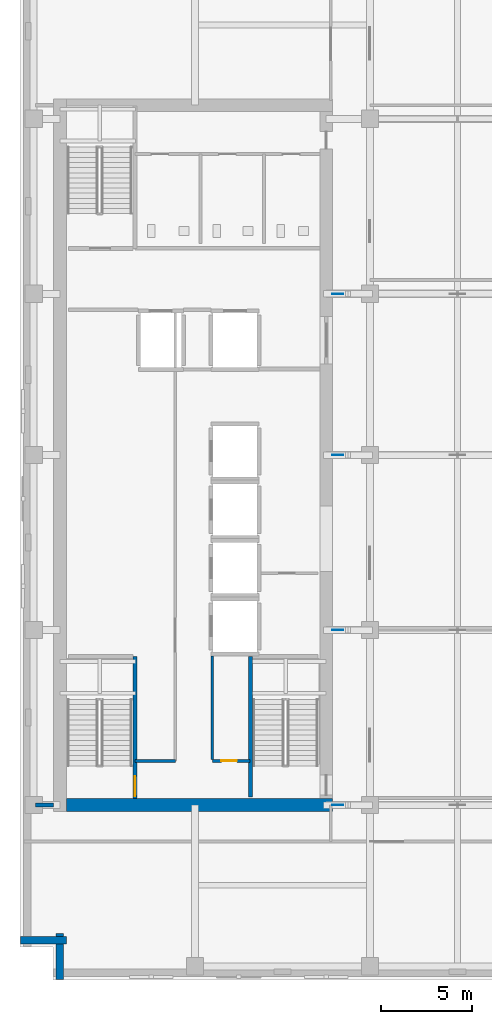
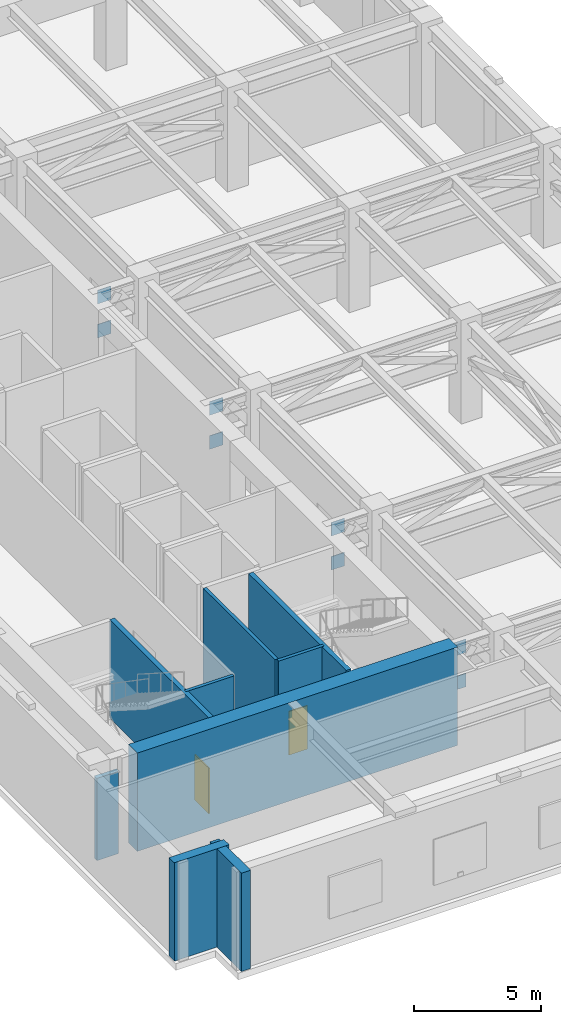
# One storey, part 12 of 21: 9 walls, 8 plates, 2 doors, 2 openings.
"""IFC4 building model written with IfcOpenShell, lengths in metres."""

from ifc_helpers import new_model, si_unit, direction, frame, frame_2d, origin, origin_2d, place, context, subcontext, project, spatial, rectangle, extrude, material, layer, layer_set, type_object, element, fill, save


model = new_model("IFC4")

# Units and contexts
model_context = context("Model", 3, precision=1e-05, world=origin(), true_north=direction((0.0, 1.0)))
body_context = subcontext(model_context, "Body", "Model", "MODEL_VIEW")
ifc_project = project(units=[si_unit("LENGTHUNIT", "METRE"), si_unit("AREAUNIT", "SQUARE_METRE"), si_unit("VOLUMEUNIT", "CUBIC_METRE"), si_unit("PLANEANGLEUNIT", "RADIAN"), si_unit("MASSUNIT", "GRAM", prefix="KILO")], contexts=[model_context])

# Site, building, storey
site_placement = place(None, origin())
site = spatial("IfcSite", under=ifc_project, at=site_placement, CompositionType="ELEMENT")
building_placement = place(site_placement, origin())
building = spatial("IfcBuilding", under=site, at=building_placement, Name="Norrvale University Quadrangle", CompositionType="ELEMENT")
storey_placement = place(building_placement, frame((0.0, 0.0, 194.0)))
storey = spatial("IfcBuildingStorey", under=building, at=storey_placement, Name="L49", CompositionType="ELEMENT", Elevation=194.0)

# Plates
ifc_material_1 = material(Name="Steel 350W", Category="steel")
ifc_layer_1 = layer(ifc_material_1, 0.02490234375, Name="Steel 350W")
ifc_layer_set_1 = layer_set([ifc_layer_1], Name="Steel 350W")
plate_type = type_object("IfcPlateType", Name="Plate Gusset 25", PredefinedType="USERDEFINED", material=ifc_layer_set_1)
for number, where, z_axis, x_axis, name in (
    (1, (17.429931640625, 9.60009765625, 2.425048828125), (0.0, 0.0, 1.0), (1.0, 0.0, 0.0), "Core Outrigger Embedment Gusset L49-1B"),
    (2, (17.429931640625, 9.60009765625, 4.06494140625), (0.0, 0.0, 1.0), (1.0, 0.0, 0.0), "Core Outrigger Embedment Gusset L49-1T"),
    (3, (17.429931640625, 19.199951171875, 2.425048828125), (0.0, 0.0, 1.0), (1.0, 0.0, 0.0), "Core Outrigger Embedment Gusset L49-2B"),
    (4, (17.429931640625, 19.199951171875, 4.06494140625), (0.0, 0.0, 1.0), (1.0, 0.0, 0.0), "Core Outrigger Embedment Gusset L49-2T"),
    (5, (17.429931640625, 28.800048828125, 2.425048828125), (0.0, 0.0, 1.0), (1.0, 0.0, 0.0), "Core Outrigger Embedment Gusset L49-3B"),
    (6, (17.429931640625, 28.800048828125, 4.06494140625), (0.0, 0.0, 1.0), (1.0, 0.0, 0.0), "Core Outrigger Embedment Gusset L49-3T"),
    (7, (17.429931640625, 37.64990234375, 2.425048828125), (0.0, 0.0, 1.0), (1.0, 0.0, 0.0), "Core Outrigger Embedment Gusset L49-4B"),
    (8, (17.429931640625, 37.64990234375, 4.06494140625), (0.0, 0.0, 1.0), (1.0, 0.0, 0.0), "Core Outrigger Embedment Gusset L49-4T"),
):
    element("IfcPlate", number, at=place(storey_placement, frame(where, z_axis=z_axis, x_axis=x_axis)), inside=storey, type_object=plate_type, Name=name, ObjectType="GUSSET_PLATE", PredefinedType="USERDEFINED", context=body_context, shape_type="SweptSolid", body=[
        extrude(rectangle(XDim=0.60009765625, YDim=0.02490234375, at=origin_2d()), origin(), (0.0, 0.0, 1.0), 0.64990234375),
    ])

# Walls
ifc_material_2 = material(Name="Buff Norman Clay Brick Masonry", Category="masonry")
ifc_layer_2 = layer(ifc_material_2, 0.419921875, Name="Buff Norman Clay Brick Masonry")
ifc_layer_set_2 = layer_set([ifc_layer_2], Name="Buff Norman Clay Brick Masonry")
wall_type_1 = type_object("IfcWallType", Name="Wall Buff Brick 420", PredefinedType="SOLIDWALL", material=ifc_layer_set_2)
for number, where, z_axis, x_axis, name in (
    (9, (0.0400390625, 2.18994140625, 0.0), (0.0, 0.0, 1.0), (1.0, 0.0, 0.0), "Exterior Brick Facade Wall L49-15.1"),
    (10, (2.18994140625, 2.5400390625, 0.0), (0.0, 0.0, 1.0), (0.0, -1.0, 0.0), "Exterior Brick Facade Wall L49-16.1"),
):
    element("IfcWall", number, at=place(storey_placement, frame(where, z_axis=z_axis, x_axis=x_axis)), inside=storey, type_object=wall_type_1, Name=name, PredefinedType="SOLIDWALL", context=body_context, shape_type="SweptSolid", body=[
        extrude(rectangle(XDim=2.5, YDim=0.419921875, at=frame_2d((1.25, 0.0))), origin(), (0.0, 0.0, 1.0), 4.739990234375),
    ])
ifc_material_3 = material(Name="Concrete C60/75", Category="concrete")
ifc_layer_3 = layer(ifc_material_3, 0.699951171875, Name="Concrete C60/75")
ifc_layer_set_3 = layer_set([ifc_layer_3], Name="Concrete C60/75")
wall_type_2 = type_object("IfcWallType", Name="Wall Core 700", PredefinedType="SHEAR", material=ifc_layer_set_3)
wall_1_placement = place(storey_placement, frame((2.550048828125, 9.60009765625, 0.0), z_axis=(0.0, 0.0, 1.0), x_axis=(1.0, 0.0, 0.0)))
element("IfcWall", 11, at=wall_1_placement, inside=storey, type_object=wall_type_2, Name="Tower Core Shear Wall L49-S", PredefinedType="SHEAR", context=body_context, shape_type="SweptSolid", body=[
    extrude(rectangle(XDim=14.599853515625, YDim=0.699951171875, at=frame_2d((7.2998046875, 0.0))), origin(), (0.0, 0.0, 1.0), 4.739990234375),
])

# Wall, opening, door
ifc_material_4 = material(Name="Fire-Rated Gypsum Stud Partition")
ifc_layer_4 = layer(ifc_material_4, 0.14990234375, Name="Fire-Rated Gypsum Stud Partition")
ifc_layer_set_4 = layer_set([ifc_layer_4], Name="Fire-Rated Gypsum Stud Partition")
wall_type_3 = type_object("IfcWallType", Name="Wall Gypsum Corridor 150", PredefinedType="PARTITIONING", material=ifc_layer_set_4)
wall_2_placement = place(storey_placement, frame((10.550048828125, 12.02001953125, 0.0), z_axis=(0.0, 0.0, 1.0), x_axis=(1.0, 0.0, 0.0)))
wall_2 = element("IfcWall", 12, at=wall_2_placement, inside=storey, type_object=wall_type_3, Name="Interior Partition WL-L49-SC-NR", PredefinedType="PARTITIONING", context=body_context, shape_type="SweptSolid", body=[
    extrude(rectangle(XDim=2.079833984375, YDim=0.14990234375, at=frame_2d((1.0400390625, 0.0))), origin(), (0.0, 0.0, 1.0), 4.739990234375),
])
opening_1_placement = place(wall_2_placement, frame((0.5, 0.0, 0.0)))
opening_1 = element("IfcOpeningElement", 13, at=opening_1_placement, cuts=wall_2, Name="Opening D10", PredefinedType="OPENING", context=body_context, shape_type="SweptSolid", body=[
    extrude(rectangle(XDim=0.85009765625, YDim=2.10009765625, at=frame_2d((0.425048828125, 1.050048828125))), frame((0.0, 0.0869140625, 0.0), z_axis=(0.0, -1.0, 0.0), x_axis=(1.0, 0.0, 0.0)), (0.0, 0.0, 1.0), 0.173828125),
])
ifc_material_5 = material(Name="Hollow Steel 350W Riser Fire Door", Category="steel")
door_type_1 = type_object("IfcDoorType", Name="Door Riser 850x2100", OperationType="NOTDEFINED", PredefinedType="DOOR", material=ifc_material_5)
door_1_placement = place(opening_1_placement, origin())
door_1 = element("IfcDoor", 14, at=door_1_placement, inside=storey, type_object=door_type_1, Name="Door Riser 850x2100 DR-L49-IDF", OperationType="SINGLE_SWING_RIGHT", OverallHeight=2.10009765625, OverallWidth=0.85009765625, PredefinedType="DOOR", context=body_context, shape_type="SweptSolid", body=[
    extrude(rectangle(XDim=0.85009765625, YDim=2.10009765625, at=frame_2d((0.425048828125, 1.050048828125))), frame((0.0, 0.02490234375, 0.0), z_axis=(0.0, -1.0, 0.0), x_axis=(1.0, 0.0, 0.0)), (0.0, 0.0, 1.0), 0.050048828125),
])
fill(opening_1, door_1)

# Walls
wall_3_placement = place(storey_placement, frame((10.550048828125, 12.094970703125, 0.0), z_axis=(0.0, 0.0, 1.0), x_axis=(0.0, 1.0, 0.0)))
element("IfcWall", 15, at=wall_3_placement, inside=storey, type_object=wall_type_3, Name="Interior Partition WL-L49-SC-WR", PredefinedType="PARTITIONING", context=body_context, shape_type="SweptSolid", body=[
    extrude(rectangle(XDim=5.679931640625, YDim=0.14990234375, at=frame_2d((2.83984375, 0.0))), origin(), (0.0, 0.0, 1.0), 4.739990234375),
])
wall_4_placement = place(storey_placement, frame((6.320068359375, 12.02001953125, 0.0), z_axis=(0.0, 0.0, 1.0), x_axis=(1.0, 0.0, 0.0)))
element("IfcWall", 16, at=wall_4_placement, inside=storey, type_object=wall_type_3, Name="Interior Partition WL-L49-REC-S", PredefinedType="PARTITIONING", context=body_context, shape_type="SweptSolid", body=[
    extrude(rectangle(XDim=2.199951171875, YDim=0.14990234375, at=frame_2d((1.10009765625, 0.0))), origin(), (0.0, 0.0, 1.0), 4.739990234375),
])
ifc_material_6 = material(Name="Concrete Blockwork 20 MPa Rated Wall", Category="masonry")
ifc_layer_5 = layer(ifc_material_6, 0.199951171875, Name="Concrete Blockwork 20 MPa Rated Wall")
ifc_layer_set_5 = layer_set([ifc_layer_5], Name="Concrete Blockwork 20 MPa Rated Wall")
wall_type_4 = type_object("IfcWallType", Name="Wall Lobby 200", PredefinedType="SOLIDWALL", material=ifc_layer_set_5)
wall_5_placement = place(storey_placement, frame((0.85009765625, 9.60009765625, 0.0), z_axis=(0.0, 0.0, 1.0), x_axis=(1.0, 0.0, 0.0)))
element("IfcWall", 17, at=wall_5_placement, inside=storey, type_object=wall_type_4, Name="Interior Partition WL-L49-CWRET-S", PredefinedType="SOLIDWALL", context=body_context, shape_type="SweptSolid", body=[
    extrude(rectangle(XDim=0.994873046875, YDim=0.199951171875, at=frame_2d((0.49755859375, 0.0))), origin(), (0.0, 0.0, 1.0), 3.967041015625),
])

# Wall, opening, door
ifc_material_7 = material(Name="Concrete Blockwork 20 MPa Fire Shaft", Category="masonry")
ifc_layer_6 = layer(ifc_material_7, 0.219970703125, Name="Concrete Blockwork 20 MPa Fire Shaft")
ifc_layer_set_6 = layer_set([ifc_layer_6], Name="Concrete Blockwork 20 MPa Fire Shaft")
wall_type_5 = type_object("IfcWallType", Name="Wall Shaft 220", PredefinedType="SOLIDWALL", material=ifc_layer_set_6)
wall_6_placement = place(storey_placement, frame((6.31005859375, 9.949951171875, 0.0), z_axis=(0.0, 0.0, 1.0), x_axis=(0.0, 1.0, 0.0)))
wall_6 = element("IfcWall", 18, at=wall_6_placement, inside=storey, type_object=wall_type_5, Name="Stair ST-01 East Shaft Wall L49", PredefinedType="SOLIDWALL", context=body_context, shape_type="SweptSolid", body=[
    extrude(rectangle(XDim=7.81005859375, YDim=0.219970703125, at=frame_2d((3.905029296875, 0.0))), origin(), (0.0, 0.0, 1.0), 4.739990234375),
])
opening_2_placement = place(wall_6_placement, frame((0.139892578125, 0.0, 0.0)))
opening_2 = element("IfcOpeningElement", 19, at=opening_2_placement, cuts=wall_6, Name="Opening D02", PredefinedType="OPENING", context=body_context, shape_type="SweptSolid", body=[
    extrude(rectangle(XDim=1.10009765625, YDim=2.199951171875, at=frame_2d((0.550048828125, 1.10009765625))), frame((0.0, 0.1220703125, 0.0), z_axis=(0.0, -1.0, 0.0), x_axis=(1.0, 0.0, 0.0)), (0.0, 0.0, 1.0), 0.243896484375),
])
ifc_material_8 = material(Name="Hollow Steel 350W Fire Door", Category="steel")
door_type_2 = type_object("IfcDoorType", Name="Door Stair Exit 1100x2200", OperationType="NOTDEFINED", PredefinedType="DOOR", material=ifc_material_8)
door_2_placement = place(opening_2_placement, origin())
door_2 = element("IfcDoor", 20, at=door_2_placement, inside=storey, type_object=door_type_2, Name="Door Stair Exit 1100x2200 DR-L49-ST01", OperationType="SINGLE_SWING_LEFT", OverallHeight=2.199951171875, OverallWidth=1.10009765625, PredefinedType="DOOR", context=body_context, shape_type="SweptSolid", body=[
    extrude(rectangle(XDim=1.10009765625, YDim=2.199951171875, at=frame_2d((0.550048828125, 1.10009765625))), frame((0.0, 0.02490234375, 0.0), z_axis=(0.0, -1.0, 0.0), x_axis=(1.0, 0.0, 0.0)), (0.0, 0.0, 1.0), 0.050048828125),
])
fill(opening_2, door_2)

# Wall
wall_7_placement = place(storey_placement, frame((12.639892578125, 10.050048828125, 0.0), z_axis=(0.0, 0.0, 1.0), x_axis=(0.0, 1.0, 0.0)))
element("IfcWall", 21, at=wall_7_placement, inside=storey, type_object=wall_type_5, Name="Stair ST-03 West Shaft Wall L49", PredefinedType="SOLIDWALL", context=body_context, shape_type="SweptSolid", body=[
    extrude(rectangle(XDim=7.7099609375, YDim=0.219970703125, at=frame_2d((3.85498046875, 0.0))), origin(), (0.0, 0.0, 1.0), 4.739990234375),
])

save(model, "model.ifc")
